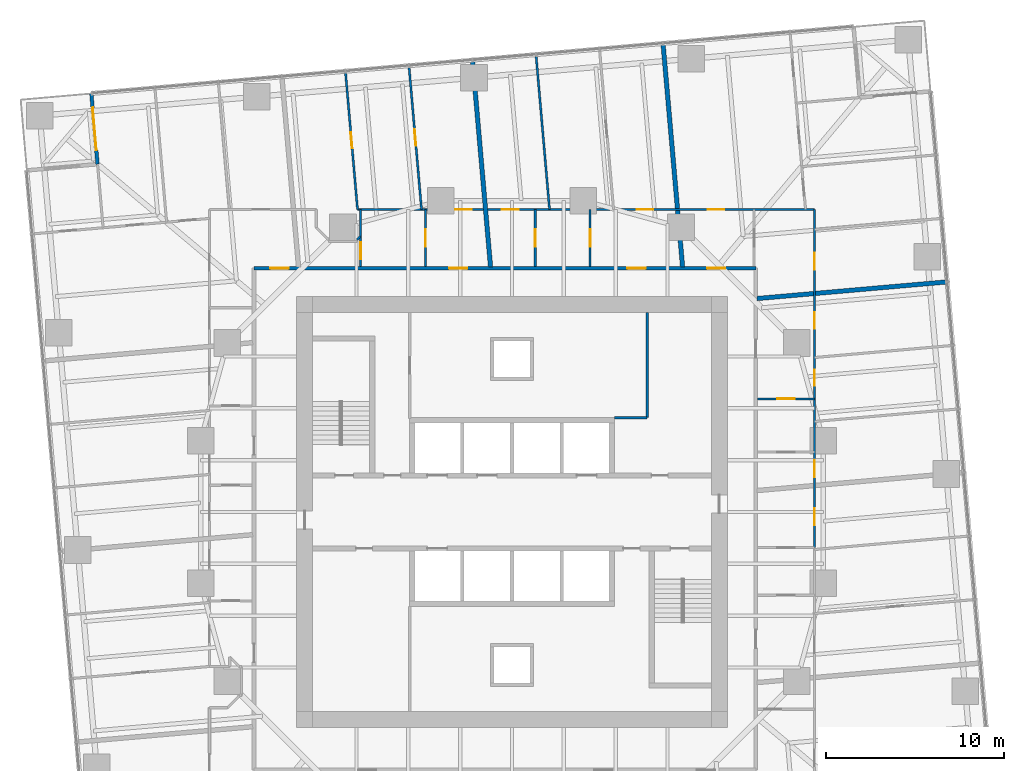
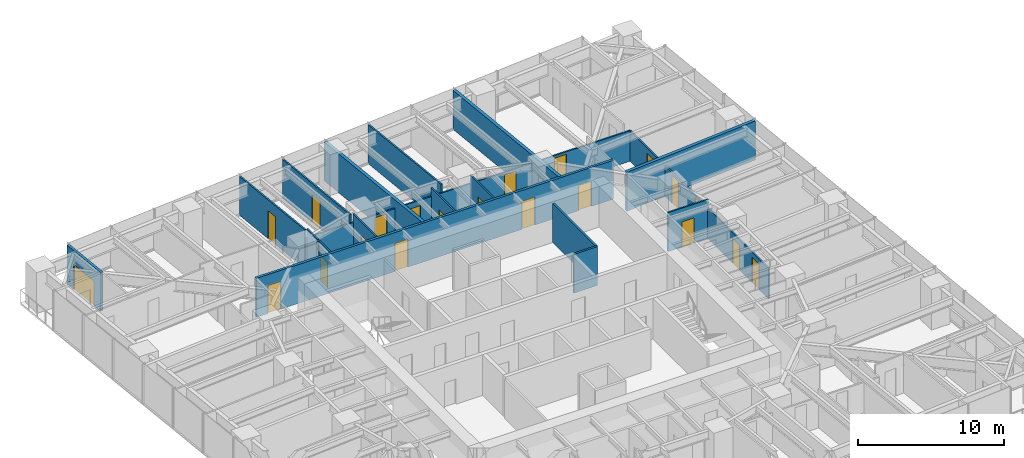
# One storey, part 12 of 14: 21 doors, 18 walls, 21 openings.
"""IFC4 building model written with IfcOpenShell, lengths in metres."""

import ifcopenshell
import ifcopenshell.guid

model = None  # the IFC model being written
_history = None  # IfcOwnerHistory: only IFC2X3 demands one
_inside = {}  # id of a spatial element -> (the spatial element, [elements in it])
_under = {}  # id of a project, library or spatial element -> (it, [spatial elements below it])
_declared = {}  # id of a project -> (the project, [libraries it declares])
_typed = {}  # id of a type object -> (the type object, [elements of that type])
_made_of = {}  # id of a material, layer set ... -> (it, [elements and type objects made of it])


def new_model(schema):
    """Start an empty IFC model of exactly this schema.

    Asked for "IFC4X3", IfcOpenShell would pick the latest addendum, in which some entities
    have other attributes; the version numbers below select the first issue.
    IFC2X3 requires an IfcOwnerHistory on every rooted entity: one is made here for all.
    """
    global model, _history
    if schema == "IFC4X3":
        model = ifcopenshell.file(schema_version=(4, 3, 0, 0))
    else:
        model = ifcopenshell.file(schema=schema)
    _inside.clear()
    _under.clear()
    _declared.clear()
    _typed.clear()
    _made_of.clear()
    _history = None
    if model.schema == "IFC2X3":
        org = make("IfcOrganization", Name="unknown")
        user = make(
            "IfcPersonAndOrganization",
            ThePerson=make("IfcPerson", FamilyName="unknown"),
            TheOrganization=org,
        )
        app = make(
            "IfcApplication",
            ApplicationDeveloper=org,
            Version="unknown",
            ApplicationFullName="unknown",
            ApplicationIdentifier="unknown",
        )
        _history = make(
            "IfcOwnerHistory",
            OwningUser=user,
            OwningApplication=app,
            ChangeAction="ADDED",
            CreationDate=0,
        )
    return model


def make(cls, **values):
    """One entity of the class cls with the attributes given. An attribute that is None is left unset."""
    return model.create_entity(
        cls, **{name: value for name, value in values.items() if value is not None}
    )


def rooted(cls, **values):
    """An entity with a GlobalId (a new one), such as an element, a storey or a relation."""
    return make(cls, GlobalId=ifcopenshell.guid.new(), OwnerHistory=_history, **values)


def si_unit(unit_type, name, prefix=None):
    """IfcSIUnit, for example si_unit("LENGTHUNIT", "METRE", prefix="MILLI")."""
    return make("IfcSIUnit", UnitType=unit_type, Prefix=prefix, Name=name)


def assignment(units):
    """IfcUnitAssignment: the units of a project."""
    return None if units is None else make("IfcUnitAssignment", Units=units)


def point(xyz):
    """IfcCartesianPoint."""
    return None if xyz is None else make("IfcCartesianPoint", Coordinates=xyz)


def direction(xyz):
    """IfcDirection."""
    return None if xyz is None else make("IfcDirection", DirectionRatios=xyz)


def frame(location, z_axis=None, x_axis=None):
    """IfcAxis2Placement3D, a coordinate frame: its origin and axes. An axis left out is left unset."""
    return make(
        "IfcAxis2Placement3D",
        Location=point(location),
        Axis=direction(z_axis),
        RefDirection=direction(x_axis),
    )


def frame_2d(location, x_axis=None):
    """IfcAxis2Placement2D, a coordinate frame in the plane: its origin and x axis."""
    return make(
        "IfcAxis2Placement2D", Location=point(location), RefDirection=direction(x_axis)
    )


def origin():
    """The frame at (0, 0, 0) with its axes left unset."""
    return frame((0.0, 0.0, 0.0))


def place(relative_to, where):
    """IfcLocalPlacement: puts the frame where relative to a parent placement (None: the world)."""
    return make(
        "IfcLocalPlacement", PlacementRelTo=relative_to, RelativePlacement=where
    )


def context(
    kind, dimensions, precision=None, world=None, true_north=None, identifier=None
):
    """IfcGeometricRepresentationContext, for example the 3D "Model" context."""
    return make(
        "IfcGeometricRepresentationContext",
        ContextIdentifier=identifier,
        ContextType=kind,
        CoordinateSpaceDimension=dimensions,
        Precision=precision,
        WorldCoordinateSystem=world,
        TrueNorth=true_north,
    )


def subcontext(parent, identifier, kind, view, scale=None):
    """IfcGeometricRepresentationSubContext, for example "Body" below "Model"."""
    return make(
        "IfcGeometricRepresentationSubContext",
        ContextIdentifier=identifier,
        ContextType=kind,
        ParentContext=parent,
        TargetScale=scale,
        TargetView=view,
    )


def project(units=None, contexts=None):
    """IfcProject with its units and contexts."""
    return rooted(
        "IfcProject",
        Name="project",
        RepresentationContexts=contexts,
        UnitsInContext=assignment(units),
    )


def spatial(cls, under=None, at=None, **own):
    """A site, building, storey or space (cls), placed at a placement, below another one or the project."""
    s = rooted(cls, ObjectPlacement=at, **own)
    if under is not None:
        _under.setdefault(under.id(), (under, []))[1].append(s)
    return s


def profile(cls, at=None, kind="AREA", **sizes):
    """A parametric profile (cls). Its sizes go by their IFC names, for example OverallWidth=200.0."""
    return make(cls, ProfileType=kind, Position=at, **sizes)


def rectangle(**sizes):
    """IfcRectangleProfileDef."""
    return profile("IfcRectangleProfileDef", **sizes)


def extrude(swept, where, along, depth):
    """IfcExtrudedAreaSolid: the profile swept, set in the frame where, extruded along a direction by depth."""
    return make(
        "IfcExtrudedAreaSolid",
        SweptArea=swept,
        Position=where,
        ExtrudedDirection=direction(along),
        Depth=depth,
    )


def shape(context_of_items, identifier, shape_type, items):
    """IfcShapeRepresentation: the items that make up one representation, for example the "Body"."""
    return make(
        "IfcShapeRepresentation",
        ContextOfItems=context_of_items,
        RepresentationIdentifier=identifier,
        RepresentationType=shape_type,
        Items=items,
    )


def material(Name=None, Category=None):
    """IfcMaterial."""
    return make("IfcMaterial", Name=Name, Category=Category)


def layer(
    of_material, thickness, ventilated=None, Name=None, Category=None, Priority=None
):
    """IfcMaterialLayer: one layer of a wall or slab, of a material (None: an air gap)."""
    return make(
        "IfcMaterialLayer",
        Material=of_material,
        LayerThickness=thickness,
        IsVentilated=ventilated,
        Name=Name,
        Category=Category,
        Priority=Priority,
    )


def layer_set(layers, Name=None):
    """IfcMaterialLayerSet."""
    return make("IfcMaterialLayerSet", MaterialLayers=layers, LayerSetName=Name)


def made_of(thing, what):
    """Note that an element or type object is made of a material, layer set ...; save() writes the relation."""
    if what is not None:
        _made_of.setdefault(what.id(), (what, []))[1].append(thing)
    return thing


def type_object(cls, material=None, **own):
    """A type object (cls), such as IfcWallType, which elements share."""
    return made_of(rooted(cls, **own), material)


def element(
    cls,
    number,
    at=None,
    inside=None,
    cuts=None,
    type_object=None,
    material=None,
    context=None,
    identifier="Body",
    shape_type=None,
    held_by="IfcProductDefinitionShape",
    body=None,
    shapes=None,
    **own,
):
    """One element of the class cls, such as IfcWall. Its Tag is "e" and its number.

    at: its placement. inside: the storey or other place that contains it. cuts: it is an
    opening in that element (IfcRelVoidsElement). A single representation is given by context,
    identifier, shape_type and body (its items); several are given by shapes. held_by: the class
    of the entity that holds the representations. save() writes the other relations.
    """
    e = rooted(cls, Tag="e%d" % number, ObjectPlacement=at, **own)
    if body is not None:
        shapes = [shape(context, identifier, shape_type, body)]
    if shapes is not None:
        e.Representation = make(held_by, Representations=shapes)
    if inside is not None:
        _inside.setdefault(inside.id(), (inside, []))[1].append(e)
    if cuts is not None:
        rooted(
            "IfcRelVoidsElement", RelatingBuildingElement=cuts, RelatedOpeningElement=e
        )
    if type_object is not None:
        _typed.setdefault(type_object.id(), (type_object, []))[1].append(e)
    return made_of(e, material)


def fill(opening, filler):
    """IfcRelFillsElement: the door or window that sits in an opening."""
    return rooted(
        "IfcRelFillsElement",
        RelatingOpeningElement=opening,
        RelatedBuildingElement=filler,
    )


def aggregate(whole, parts):
    """IfcRelAggregates: a whole, such as a stair, and the parts it consists of."""
    return rooted("IfcRelAggregates", RelatingObject=whole, RelatedObjects=parts)


def save(model, path):
    """Write the relations noted so far, then the file.

    IfcRelAggregates (storeys below a building ...), IfcRelContainedInSpatialStructure (elements
    in a storey), IfcRelDefinesByType, IfcRelAssociatesMaterial and IfcRelDeclares: one each for
    every whole, place, type object, material and project.
    """
    for whole, parts in _under.values():
        aggregate(whole, parts)
    for where, things in _inside.values():
        rooted(
            "IfcRelContainedInSpatialStructure",
            RelatedElements=things,
            RelatingStructure=where,
        )
    for kind, things in _typed.values():
        rooted("IfcRelDefinesByType", RelatedObjects=things, RelatingType=kind)
    for what, things in _made_of.values():
        rooted("IfcRelAssociatesMaterial", RelatedObjects=things, RelatingMaterial=what)
    for by, libraries in _declared.values():
        rooted("IfcRelDeclares", RelatingContext=by, RelatedDefinitions=libraries)
    model.write(path)


model = new_model("IFC4")

# Units and contexts
model_context = context("Model", 3, precision=1e-05, world=origin(), true_north=direction((0.0, 1.0)))
body_context = subcontext(model_context, "Body", "Model", "MODEL_VIEW")
ifc_project = project(units=[si_unit("LENGTHUNIT", "METRE"), si_unit("AREAUNIT", "SQUARE_METRE"), si_unit("VOLUMEUNIT", "CUBIC_METRE"), si_unit("PLANEANGLEUNIT", "RADIAN"), si_unit("MASSUNIT", "GRAM", prefix="KILO")], contexts=[model_context])

# Site, building, storey
site_placement = place(None, origin())
site = spatial("IfcSite", under=ifc_project, at=site_placement, CompositionType="ELEMENT")
building_placement = place(site_placement, origin())
building = spatial("IfcBuilding", under=site, at=building_placement, Name="Torsade Residences", CompositionType="ELEMENT")
storey_placement = place(building_placement, frame((0.0, 0.0, 47.199951171875)))
storey = spatial("IfcBuildingStorey", under=building, at=storey_placement, Name="L12", CompositionType="ELEMENT", Elevation=47.199951171875)

# Wall, openings, doors
ifc_material_1 = material(Name="Plasterboard on steel stud", Category="steel")
ifc_layer_1 = layer(ifc_material_1, 0.199951171875)
ifc_layer_set_1 = layer_set([ifc_layer_1], Name="Plasterboard on steel stud")
wall_type_1 = type_object("IfcWallType", Name="CORRIDOR WALL 200", PredefinedType="PARTITIONING", material=ifc_layer_set_1)
wall_1_placement = place(storey_placement, frame((53.699951171875, 43.699951171875, 0.0), z_axis=(0.0, 0.0, 1.0), x_axis=(-1.0, 0.0, 0.0)))
wall_1 = element("IfcWall", 1, at=wall_1_placement, inside=storey, type_object=wall_type_1, Name="Corridor wall L12", PredefinedType="PARTITIONING", context=body_context, shape_type="SweptSolid", body=[
    extrude(rectangle(XDim=28.199951171875, YDim=0.199951171875, at=frame_2d((14.10009765625, 0.0))), origin(), (0.0, 0.0, 1.0), 3.25),
])
opening_1_placement = place(wall_1_placement, frame((6.1943359375, 0.0, 0.0)))
opening_1 = element("IfcOpeningElement", 2, at=opening_1_placement, cuts=wall_1, Name="Opening D01", PredefinedType="OPENING", context=body_context, shape_type="SweptSolid", body=[
    extrude(rectangle(XDim=1.02001953125, YDim=2.340087890625, at=frame_2d((0.510009765625, 1.169921875))), frame((0.0, 0.10986328125, 0.0), z_axis=(0.0, -1.0, 0.0), x_axis=(1.0, 0.0, 0.0)), (0.0, 0.0, 1.0), 0.219970703125),
])
opening_2_placement = place(wall_1_placement, frame((1.71484375, 0.0, 0.0)))
opening_2 = element("IfcOpeningElement", 3, at=opening_2_placement, cuts=wall_1, Name="Opening D01L", PredefinedType="OPENING", context=body_context, shape_type="SweptSolid", body=[
    extrude(rectangle(XDim=1.02001953125, YDim=2.10009765625, at=frame_2d((0.510009765625, 1.050048828125))), frame((0.0, 0.10986328125, 0.0), z_axis=(0.0, -1.0, 0.0), x_axis=(1.0, 0.0, 0.0)), (0.0, 0.0, 1.0), 0.219970703125),
])
opening_3_placement = place(wall_1_placement, frame((16.214599609375, 0.0, 0.0)))
opening_3 = element("IfcOpeningElement", 4, at=opening_3_placement, cuts=wall_1, Name="Opening D01", PredefinedType="OPENING", context=body_context, shape_type="SweptSolid", body=[
    extrude(rectangle(XDim=1.02001953125, YDim=2.340087890625, at=frame_2d((0.510009765625, 1.169921875))), frame((0.0, 0.10986328125, 0.0), z_axis=(0.0, -1.0, 0.0), x_axis=(1.0, 0.0, 0.0)), (0.0, 0.0, 1.0), 0.219970703125),
])
opening_4_placement = place(wall_1_placement, frame((26.25537109375, 0.0, 0.0)))
opening_4 = element("IfcOpeningElement", 5, at=opening_4_placement, cuts=wall_1, Name="Opening D01", PredefinedType="OPENING", context=body_context, shape_type="SweptSolid", body=[
    extrude(rectangle(XDim=1.02001953125, YDim=2.340087890625, at=frame_2d((0.510009765625, 1.169921875))), frame((0.0, 0.10986328125, 0.0), z_axis=(0.0, -1.0, 0.0), x_axis=(1.0, 0.0, 0.0)), (0.0, 0.0, 1.0), 0.219970703125),
])
ifc_material_2 = material(Name="Solid-core timber fire door", Category="wood")
door_type_1 = type_object("IfcDoorType", Name="APARTMENT ENTRY DOOR 1020x2100", OperationType="NOTDEFINED", PredefinedType="DOOR", material=ifc_material_2)
door_1_placement = place(opening_2_placement, origin())
door_1 = element("IfcDoor", 6, at=door_1_placement, inside=storey, type_object=door_type_1, Name="Door Residential corridor to Kitchen and dining", OperationType="SINGLE_SWING_LEFT", OverallHeight=2.10009765625, OverallWidth=1.02001953125, PredefinedType="DOOR", context=body_context, shape_type="SweptSolid", body=[
    extrude(rectangle(XDim=1.02001953125, YDim=2.10009765625, at=frame_2d((0.510009765625, 1.050048828125))), frame((0.0, 0.02490234375, 0.0), z_axis=(0.0, -1.0, 0.0), x_axis=(1.0, 0.0, 0.0)), (0.0, 0.0, 1.0), 0.050048828125),
])
fill(opening_2, door_1)
ifc_material_3 = material(Name="Solid-core timber fire door", Category="wood")
door_type_2 = type_object("IfcDoorType", Name="APARTMENT ENTRY DOOR 1020x2340", OperationType="NOTDEFINED", PredefinedType="DOOR", material=ifc_material_3)
door_2_placement = place(opening_1_placement, origin())
door_2 = element("IfcDoor", 7, at=door_2_placement, inside=storey, type_object=door_type_2, Name="Door Residential corridor to Kitchen and dining", OperationType="SINGLE_SWING_LEFT", OverallHeight=2.340087890625, OverallWidth=1.02001953125, PredefinedType="DOOR", context=body_context, shape_type="SweptSolid", body=[
    extrude(rectangle(XDim=1.02001953125, YDim=2.340087890625, at=frame_2d((0.510009765625, 1.169921875))), frame((0.0, 0.02490234375, 0.0), z_axis=(0.0, -1.0, 0.0), x_axis=(1.0, 0.0, 0.0)), (0.0, 0.0, 1.0), 0.050048828125),
])
fill(opening_1, door_2)
door_3_placement = place(opening_3_placement, origin())
door_3 = element("IfcDoor", 8, at=door_3_placement, inside=storey, type_object=door_type_2, Name="Door Residential corridor to Kitchen and dining", OperationType="SINGLE_SWING_RIGHT", OverallHeight=2.340087890625, OverallWidth=1.02001953125, PredefinedType="DOOR", context=body_context, shape_type="SweptSolid", body=[
    extrude(rectangle(XDim=1.02001953125, YDim=2.340087890625, at=frame_2d((0.510009765625, 1.169921875))), frame((0.0, 0.02490234375, 0.0), z_axis=(0.0, -1.0, 0.0), x_axis=(1.0, 0.0, 0.0)), (0.0, 0.0, 1.0), 0.050048828125),
])
fill(opening_3, door_3)
door_4_placement = place(opening_4_placement, origin())
door_4 = element("IfcDoor", 9, at=door_4_placement, inside=storey, type_object=door_type_2, Name="Door Residential corridor to Kitchen and dining", OperationType="SINGLE_SWING_RIGHT", OverallHeight=2.340087890625, OverallWidth=1.02001953125, PredefinedType="DOOR", context=body_context, shape_type="SweptSolid", body=[
    extrude(rectangle(XDim=1.02001953125, YDim=2.340087890625, at=frame_2d((0.510009765625, 1.169921875))), frame((0.0, 0.02490234375, 0.0), z_axis=(0.0, -1.0, 0.0), x_axis=(1.0, 0.0, 0.0)), (0.0, 0.0, 1.0), 0.050048828125),
])
fill(opening_4, door_4)

ifc_material_4 = material(Name="Plasterboard on steel stud", Category="steel")
ifc_layer_2 = layer(ifc_material_4, 0.1201171875)
ifc_layer_set_2 = layer_set([ifc_layer_2], Name="Plasterboard on steel stud")
wall_type_2 = type_object("IfcWallType", Name="PARTITION 120", PredefinedType="PARTITIONING", material=ifc_layer_set_2)
wall_2_placement = place(storey_placement, frame((57.0, 47.0, 0.0), z_axis=(0.0, 0.0, 1.0), x_axis=(0.0, -1.0, 0.0)))
wall_2 = element("IfcWall", 10, at=wall_2_placement, inside=storey, type_object=wall_type_2, Name="Partition L12", PredefinedType="PARTITIONING", context=body_context, shape_type="SweptSolid", body=[
    extrude(rectangle(XDim=19.003173828125, YDim=0.1201171875, at=frame_2d((9.50146484375, 0.0))), origin(), (0.0, 0.0, 1.0), 2.550048828125),
])
opening_5_placement = place(wall_2_placement, frame((5.78515625, 0.0, 0.0)))
opening_5 = element("IfcOpeningElement", 11, at=opening_5_placement, cuts=wall_2, Name="Opening D02", PredefinedType="OPENING", context=body_context, shape_type="SweptSolid", body=[
    extrude(rectangle(XDim=0.919921875, YDim=2.340087890625, at=frame_2d((0.4599609375, 1.169921875))), frame((0.0, 0.070068359375, 0.0), z_axis=(0.0, -1.0, 0.0), x_axis=(1.0, 0.0, 0.0)), (0.0, 0.0, 1.0), 0.14013671875),
])
opening_6_placement = place(wall_2_placement, frame((8.993896484375, 0.0, 0.0)))
opening_6 = element("IfcOpeningElement", 12, at=opening_6_placement, cuts=wall_2, Name="Opening D02", PredefinedType="OPENING", context=body_context, shape_type="SweptSolid", body=[
    extrude(rectangle(XDim=0.919921875, YDim=2.340087890625, at=frame_2d((0.4599609375, 1.169921875))), frame((0.0, 0.070068359375, 0.0), z_axis=(0.0, -1.0, 0.0), x_axis=(1.0, 0.0, 0.0)), (0.0, 0.0, 1.0), 0.14013671875),
])
opening_7_placement = place(wall_2_placement, frame((2.41796875, 0.0, 0.0)))
opening_7 = element("IfcOpeningElement", 13, at=opening_7_placement, cuts=wall_2, Name="Opening D05", PredefinedType="OPENING", context=body_context, shape_type="SweptSolid", body=[
    extrude(rectangle(XDim=0.9599609375, YDim=2.10009765625, at=frame_2d((0.47998046875, 1.050048828125))), frame((0.0, 0.070068359375, 0.0), z_axis=(0.0, -1.0, 0.0), x_axis=(1.0, 0.0, 0.0)), (0.0, 0.0, 1.0), 0.14013671875),
])
opening_8_placement = place(wall_2_placement, frame((14.0927734375, 0.0, 0.0)))
opening_8 = element("IfcOpeningElement", 14, at=opening_8_placement, cuts=wall_2, Name="Opening D05", PredefinedType="OPENING", context=body_context, shape_type="SweptSolid", body=[
    extrude(rectangle(XDim=0.9599609375, YDim=2.10009765625, at=frame_2d((0.47998046875, 1.050048828125))), frame((0.0, 0.070068359375, 0.0), z_axis=(0.0, -1.0, 0.0), x_axis=(1.0, 0.0, 0.0)), (0.0, 0.0, 1.0), 0.14013671875),
])
opening_9_placement = place(wall_2_placement, frame((16.77783203125, 0.0, 0.0)))
opening_9 = element("IfcOpeningElement", 15, at=opening_9_placement, cuts=wall_2, Name="Opening D05", PredefinedType="OPENING", context=body_context, shape_type="SweptSolid", body=[
    extrude(rectangle(XDim=0.9599609375, YDim=2.10009765625, at=frame_2d((0.47998046875, 1.050048828125))), frame((0.0, 0.070068359375, 0.0), z_axis=(0.0, -1.0, 0.0), x_axis=(1.0, 0.0, 0.0)), (0.0, 0.0, 1.0), 0.14013671875),
])
ifc_material_5 = material(Name="Hollow-core timber door in a steel cavity frame", Category="steel")
door_type_3 = type_object("IfcDoorType", Name="BATHROOM CAVITY SLIDING DOOR 960", OperationType="SLIDING_TO_LEFT", PredefinedType="DOOR", material=ifc_material_5)
door_5_placement = place(opening_7_placement, origin())
door_5 = element("IfcDoor", 16, at=door_5_placement, inside=storey, type_object=door_type_3, Name="Door Bathroom to Study", OperationType="SLIDING_TO_LEFT", OverallHeight=2.10009765625, OverallWidth=0.9599609375, PredefinedType="DOOR", context=body_context, shape_type="SweptSolid", body=[
    extrude(rectangle(XDim=0.9599609375, YDim=2.10009765625, at=frame_2d((0.47998046875, 1.050048828125))), frame((0.0, 0.02490234375, 0.0), z_axis=(0.0, -1.0, 0.0), x_axis=(1.0, 0.0, 0.0)), (0.0, 0.0, 1.0), 0.050048828125),
])
fill(opening_7, door_5)
door_6_placement = place(opening_8_placement, origin())
door_6 = element("IfcDoor", 17, at=door_6_placement, inside=storey, type_object=door_type_3, Name="Door Ensuite to Living room", OperationType="SLIDING_TO_LEFT", OverallHeight=2.10009765625, OverallWidth=0.9599609375, PredefinedType="DOOR", context=body_context, shape_type="SweptSolid", body=[
    extrude(rectangle(XDim=0.9599609375, YDim=2.10009765625, at=frame_2d((0.47998046875, 1.050048828125))), frame((0.0, 0.02490234375, 0.0), z_axis=(0.0, -1.0, 0.0), x_axis=(1.0, 0.0, 0.0)), (0.0, 0.0, 1.0), 0.050048828125),
])
fill(opening_8, door_6)
door_7_placement = place(opening_9_placement, origin())
door_7 = element("IfcDoor", 18, at=door_7_placement, inside=storey, type_object=door_type_3, Name="Door Bathroom to Bedroom 2", OperationType="SLIDING_TO_LEFT", OverallHeight=2.10009765625, OverallWidth=0.9599609375, PredefinedType="DOOR", context=body_context, shape_type="SweptSolid", body=[
    extrude(rectangle(XDim=0.9599609375, YDim=2.10009765625, at=frame_2d((0.47998046875, 1.050048828125))), frame((0.0, 0.02490234375, 0.0), z_axis=(0.0, -1.0, 0.0), x_axis=(1.0, 0.0, 0.0)), (0.0, 0.0, 1.0), 0.050048828125),
])
fill(opening_9, door_7)
ifc_material_6 = material(Name="Hollow-core timber door", Category="wood")
door_type_4 = type_object("IfcDoorType", Name="INTERNAL DOOR 920x2340", OperationType="NOTDEFINED", PredefinedType="DOOR", material=ifc_material_6)
door_8_placement = place(opening_5_placement, origin())
door_8 = element("IfcDoor", 19, at=door_8_placement, inside=storey, type_object=door_type_4, Name="Door Kitchen and dining to Bedroom 2", OperationType="SINGLE_SWING_LEFT", OverallHeight=2.340087890625, OverallWidth=0.919921875, PredefinedType="DOOR", context=body_context, shape_type="SweptSolid", body=[
    extrude(rectangle(XDim=0.919921875, YDim=2.340087890625, at=frame_2d((0.4599609375, 1.169921875))), frame((0.0, 0.02490234375, 0.0), z_axis=(0.0, -1.0, 0.0), x_axis=(1.0, 0.0, 0.0)), (0.0, 0.0, 1.0), 0.050048828125),
])
fill(opening_5, door_8)
door_9_placement = place(opening_6_placement, origin())
door_9 = element("IfcDoor", 20, at=door_9_placement, inside=storey, type_object=door_type_4, Name="Door Kitchen and dining to Bedroom 1", OperationType="SINGLE_SWING_LEFT", OverallHeight=2.340087890625, OverallWidth=0.919921875, PredefinedType="DOOR", context=body_context, shape_type="SweptSolid", body=[
    extrude(rectangle(XDim=0.919921875, YDim=2.340087890625, at=frame_2d((0.4599609375, 1.169921875))), frame((0.0, 0.02490234375, 0.0), z_axis=(0.0, -1.0, 0.0), x_axis=(1.0, 0.0, 0.0)), (0.0, 0.0, 1.0), 0.050048828125),
])
fill(opening_6, door_9)

# Wall, opening, door
wall_3_placement = place(storey_placement, frame((57.0, 36.3603515625, 0.0), z_axis=(0.0, 0.0, 1.0), x_axis=(-1.0, 0.0, 0.0)))
wall_3 = element("IfcWall", 21, at=wall_3_placement, inside=storey, type_object=wall_type_2, Name="Partition L12", PredefinedType="PARTITIONING", context=body_context, shape_type="SweptSolid", body=[
    extrude(rectangle(XDim=3.199951171875, YDim=0.1201171875, at=frame_2d((1.60009765625, 0.0))), origin(), (0.0, 0.0, 1.0), 3.25),
])
opening_10_placement = place(wall_3_placement, frame((1.1201171875, 0.0, 0.0)))
opening_10 = element("IfcOpeningElement", 22, at=opening_10_placement, cuts=wall_3, Name="Opening D05", PredefinedType="OPENING", context=body_context, shape_type="SweptSolid", body=[
    extrude(rectangle(XDim=0.9599609375, YDim=2.10009765625, at=frame_2d((0.47998046875, 1.050048828125))), frame((0.0, 0.070068359375, 0.0), z_axis=(0.0, -1.0, 0.0), x_axis=(1.0, 0.0, 0.0)), (0.0, 0.0, 1.0), 0.14013671875),
])
door_10_placement = place(opening_10_placement, origin())
door_10 = element("IfcDoor", 23, at=door_10_placement, inside=storey, type_object=door_type_3, Name="Door Kitchen and dining to Bathroom", OperationType="SLIDING_TO_LEFT", OverallHeight=2.10009765625, OverallWidth=0.9599609375, PredefinedType="DOOR", context=body_context, shape_type="SweptSolid", body=[
    extrude(rectangle(XDim=0.9599609375, YDim=2.10009765625, at=frame_2d((0.47998046875, 1.050048828125))), frame((0.0, 0.02490234375, 0.0), z_axis=(0.0, -1.0, 0.0), x_axis=(1.0, 0.0, 0.0)), (0.0, 0.0, 1.0), 0.050048828125),
])
fill(opening_10, door_10)

# Wall, openings, doors
wall_4_placement = place(storey_placement, frame((31.318603515625, 47.0, 0.0), z_axis=(0.0, 0.0, 1.0), x_axis=(1.0, 0.0, 0.0)))
wall_4 = element("IfcWall", 24, at=wall_4_placement, inside=storey, type_object=wall_type_2, Name="Partition L12", PredefinedType="PARTITIONING", context=body_context, shape_type="SweptSolid", body=[
    extrude(rectangle(XDim=25.681396484375, YDim=0.1201171875, at=frame_2d((12.8408203125, 0.0))), origin(), (0.0, 0.0, 1.0), 2.550048828125),
])
opening_11_placement = place(wall_4_placement, frame((15.701416015625, 0.0, 0.0)))
opening_11 = element("IfcOpeningElement", 25, at=opening_11_placement, cuts=wall_4, Name="Opening D02", PredefinedType="OPENING", context=body_context, shape_type="SweptSolid", body=[
    extrude(rectangle(XDim=0.919921875, YDim=2.340087890625, at=frame_2d((0.4599609375, 1.169921875))), frame((0.0, 0.070068359375, 0.0), z_axis=(0.0, -1.0, 0.0), x_axis=(1.0, 0.0, 0.0)), (0.0, 0.0, 1.0), 0.14013671875),
])
opening_12_placement = place(wall_4_placement, frame((19.67626953125, 0.0, 0.0)))
opening_12 = element("IfcOpeningElement", 26, at=opening_12_placement, cuts=wall_4, Name="Opening D02", PredefinedType="OPENING", context=body_context, shape_type="SweptSolid", body=[
    extrude(rectangle(XDim=0.919921875, YDim=2.340087890625, at=frame_2d((0.4599609375, 1.169921875))), frame((0.0, 0.070068359375, 0.0), z_axis=(0.0, -1.0, 0.0), x_axis=(1.0, 0.0, 0.0)), (0.0, 0.0, 1.0), 0.14013671875),
])
opening_13_placement = place(wall_4_placement, frame((5.49755859375, 0.0, 0.0)))
opening_13 = element("IfcOpeningElement", 27, at=opening_13_placement, cuts=wall_4, Name="Opening D02", PredefinedType="OPENING", context=body_context, shape_type="SweptSolid", body=[
    extrude(rectangle(XDim=0.919921875, YDim=2.340087890625, at=frame_2d((0.4599609375, 1.169921875))), frame((0.0, 0.070068359375, 0.0), z_axis=(0.0, -1.0, 0.0), x_axis=(1.0, 0.0, 0.0)), (0.0, 0.0, 1.0), 0.14013671875),
])
opening_14_placement = place(wall_4_placement, frame((8.1103515625, 0.0, 0.0)))
opening_14 = element("IfcOpeningElement", 28, at=opening_14_placement, cuts=wall_4, Name="Opening D05", PredefinedType="OPENING", context=body_context, shape_type="SweptSolid", body=[
    extrude(rectangle(XDim=0.9599609375, YDim=2.10009765625, at=frame_2d((0.47998046875, 1.050048828125))), frame((0.0, 0.070068359375, 0.0), z_axis=(0.0, -1.0, 0.0), x_axis=(1.0, 0.0, 0.0)), (0.0, 0.0, 1.0), 0.14013671875),
])
door_11_placement = place(opening_14_placement, origin())
door_11 = element("IfcDoor", 29, at=door_11_placement, inside=storey, type_object=door_type_3, Name="Door Ensuite to Bedroom 2", OperationType="SLIDING_TO_LEFT", OverallHeight=2.10009765625, OverallWidth=0.9599609375, PredefinedType="DOOR", context=body_context, shape_type="SweptSolid", body=[
    extrude(rectangle(XDim=0.9599609375, YDim=2.10009765625, at=frame_2d((0.47998046875, 1.050048828125))), frame((0.0, 0.02490234375, 0.0), z_axis=(0.0, -1.0, 0.0), x_axis=(1.0, 0.0, 0.0)), (0.0, 0.0, 1.0), 0.050048828125),
])
fill(opening_14, door_11)
door_12_placement = place(opening_11_placement, origin())
door_12 = element("IfcDoor", 30, at=door_12_placement, inside=storey, type_object=door_type_4, Name="Door Kitchen and dining to Living room", OperationType="SINGLE_SWING_LEFT", OverallHeight=2.340087890625, OverallWidth=0.919921875, PredefinedType="DOOR", context=body_context, shape_type="SweptSolid", body=[
    extrude(rectangle(XDim=0.919921875, YDim=2.340087890625, at=frame_2d((0.4599609375, 1.169921875))), frame((0.0, 0.02490234375, 0.0), z_axis=(0.0, -1.0, 0.0), x_axis=(1.0, 0.0, 0.0)), (0.0, 0.0, 1.0), 0.050048828125),
])
fill(opening_11, door_12)
door_13_placement = place(opening_12_placement, origin())
door_13 = element("IfcDoor", 31, at=door_13_placement, inside=storey, type_object=door_type_4, Name="Door Kitchen and dining to Living room", OperationType="SINGLE_SWING_LEFT", OverallHeight=2.340087890625, OverallWidth=0.919921875, PredefinedType="DOOR", context=body_context, shape_type="SweptSolid", body=[
    extrude(rectangle(XDim=0.919921875, YDim=2.340087890625, at=frame_2d((0.4599609375, 1.169921875))), frame((0.0, 0.02490234375, 0.0), z_axis=(0.0, -1.0, 0.0), x_axis=(1.0, 0.0, 0.0)), (0.0, 0.0, 1.0), 0.050048828125),
])
fill(opening_12, door_13)
door_14_placement = place(opening_13_placement, origin())
door_14 = element("IfcDoor", 32, at=door_14_placement, inside=storey, type_object=door_type_4, Name="Door Kitchen and dining to Living room", OperationType="SINGLE_SWING_LEFT", OverallHeight=2.340087890625, OverallWidth=0.919921875, PredefinedType="DOOR", context=body_context, shape_type="SweptSolid", body=[
    extrude(rectangle(XDim=0.919921875, YDim=2.340087890625, at=frame_2d((0.4599609375, 1.169921875))), frame((0.0, 0.02490234375, 0.0), z_axis=(0.0, -1.0, 0.0), x_axis=(1.0, 0.0, 0.0)), (0.0, 0.0, 1.0), 0.050048828125),
])
fill(opening_13, door_14)

# Wall, opening, door
wall_5_placement = place(storey_placement, frame((44.38916015625, 43.800048828125, 0.0), z_axis=(0.0, 0.0, 1.0), x_axis=(0.0, 1.0, 0.0)))
wall_5 = element("IfcWall", 33, at=wall_5_placement, inside=storey, type_object=wall_type_2, Name="Partition L12", PredefinedType="PARTITIONING", context=body_context, shape_type="SweptSolid", body=[
    extrude(rectangle(XDim=3.199951171875, YDim=0.1201171875, at=frame_2d((1.60009765625, 0.0))), origin(), (0.0, 0.0, 1.0), 3.25),
])
opening_15_placement = place(wall_5_placement, frame((1.1201171875, 0.0, 0.0)))
opening_15 = element("IfcOpeningElement", 34, at=opening_15_placement, cuts=wall_5, Name="Opening D05", PredefinedType="OPENING", context=body_context, shape_type="SweptSolid", body=[
    extrude(rectangle(XDim=0.9599609375, YDim=2.10009765625, at=frame_2d((0.47998046875, 1.050048828125))), frame((0.0, 0.070068359375, 0.0), z_axis=(0.0, -1.0, 0.0), x_axis=(1.0, 0.0, 0.0)), (0.0, 0.0, 1.0), 0.14013671875),
])
door_15_placement = place(opening_15_placement, origin())
door_15 = element("IfcDoor", 35, at=door_15_placement, inside=storey, type_object=door_type_3, Name="Door Kitchen and dining to Bathroom", OperationType="SLIDING_TO_LEFT", OverallHeight=2.10009765625, OverallWidth=0.9599609375, PredefinedType="DOOR", context=body_context, shape_type="SweptSolid", body=[
    extrude(rectangle(XDim=0.9599609375, YDim=2.10009765625, at=frame_2d((0.47998046875, 1.050048828125))), frame((0.0, 0.02490234375, 0.0), z_axis=(0.0, -1.0, 0.0), x_axis=(1.0, 0.0, 0.0)), (0.0, 0.0, 1.0), 0.050048828125),
])
fill(opening_15, door_15)

wall_6_placement = place(storey_placement, frame((41.305419921875, 43.800048828125, 0.0), z_axis=(0.0, 0.0, 1.0), x_axis=(0.0, 1.0, 0.0)))
wall_6 = element("IfcWall", 36, at=wall_6_placement, inside=storey, type_object=wall_type_2, Name="Partition L12", PredefinedType="PARTITIONING", context=body_context, shape_type="SweptSolid", body=[
    extrude(rectangle(XDim=3.199951171875, YDim=0.1201171875, at=frame_2d((1.60009765625, 0.0))), origin(), (0.0, 0.0, 1.0), 3.25),
])
opening_16_placement = place(wall_6_placement, frame((1.1201171875, 0.0, 0.0)))
opening_16 = element("IfcOpeningElement", 37, at=opening_16_placement, cuts=wall_6, Name="Opening D05", PredefinedType="OPENING", context=body_context, shape_type="SweptSolid", body=[
    extrude(rectangle(XDim=0.9599609375, YDim=2.10009765625, at=frame_2d((0.47998046875, 1.050048828125))), frame((0.0, 0.070068359375, 0.0), z_axis=(0.0, -1.0, 0.0), x_axis=(1.0, 0.0, 0.0)), (0.0, 0.0, 1.0), 0.14013671875),
])
door_16_placement = place(opening_16_placement, origin())
door_16 = element("IfcDoor", 38, at=door_16_placement, inside=storey, type_object=door_type_3, Name="Door Bathroom to Ensuite", OperationType="SLIDING_TO_LEFT", OverallHeight=2.10009765625, OverallWidth=0.9599609375, PredefinedType="DOOR", context=body_context, shape_type="SweptSolid", body=[
    extrude(rectangle(XDim=0.9599609375, YDim=2.10009765625, at=frame_2d((0.47998046875, 1.050048828125))), frame((0.0, 0.02490234375, 0.0), z_axis=(0.0, -1.0, 0.0), x_axis=(1.0, 0.0, 0.0)), (0.0, 0.0, 1.0), 0.050048828125),
])
fill(opening_16, door_16)

# Wall
wall_7_placement = place(storey_placement, frame((42.109619140625, 47.0, 0.0), z_axis=(0.0, 0.0, 1.0), x_axis=(-0.087158256162, 0.996194478193, 0.0)))
element("IfcWall", 39, at=wall_7_placement, inside=storey, type_object=wall_type_2, Name="Partition L12", PredefinedType="PARTITIONING", context=body_context, shape_type="SweptSolid", body=[
    extrude(rectangle(XDim=8.708740234375, YDim=0.1201171875, at=frame_2d((4.3544921875, 0.0))), origin(), (0.0, 0.0, 1.0), 3.25),
])

# Wall, opening, door
wall_8_placement = place(storey_placement, frame((35.1396484375, 43.800048828125, 0.0), z_axis=(0.0, 0.0, 1.0), x_axis=(0.0, 1.0, 0.0)))
wall_8 = element("IfcWall", 40, at=wall_8_placement, inside=storey, type_object=wall_type_2, Name="Partition L12", PredefinedType="PARTITIONING", context=body_context, shape_type="SweptSolid", body=[
    extrude(rectangle(XDim=3.199951171875, YDim=0.1201171875, at=frame_2d((1.60009765625, 0.0))), origin(), (0.0, 0.0, 1.0), 3.25),
])
opening_17_placement = place(wall_8_placement, frame((1.1201171875, 0.0, 0.0)))
opening_17 = element("IfcOpeningElement", 41, at=opening_17_placement, cuts=wall_8, Name="Opening D05", PredefinedType="OPENING", context=body_context, shape_type="SweptSolid", body=[
    extrude(rectangle(XDim=0.9599609375, YDim=2.10009765625, at=frame_2d((0.47998046875, 1.050048828125))), frame((0.0, 0.070068359375, 0.0), z_axis=(0.0, -1.0, 0.0), x_axis=(1.0, 0.0, 0.0)), (0.0, 0.0, 1.0), 0.14013671875),
])
door_17_placement = place(opening_17_placement, origin())
door_17 = element("IfcDoor", 42, at=door_17_placement, inside=storey, type_object=door_type_3, Name="Door Kitchen and dining to Bathroom", OperationType="SLIDING_TO_LEFT", OverallHeight=2.10009765625, OverallWidth=0.9599609375, PredefinedType="DOOR", context=body_context, shape_type="SweptSolid", body=[
    extrude(rectangle(XDim=0.9599609375, YDim=2.10009765625, at=frame_2d((0.47998046875, 1.050048828125))), frame((0.0, 0.02490234375, 0.0), z_axis=(0.0, -1.0, 0.0), x_axis=(1.0, 0.0, 0.0)), (0.0, 0.0, 1.0), 0.050048828125),
])
fill(opening_17, door_17)

wall_9_placement = place(storey_placement, frame((31.49560546875, 43.800048828125, 0.0), z_axis=(0.0, 0.0, 1.0), x_axis=(0.0, 1.0, 0.0)))
wall_9 = element("IfcWall", 43, at=wall_9_placement, inside=storey, type_object=wall_type_2, Name="Partition L12", PredefinedType="PARTITIONING", context=body_context, shape_type="SweptSolid", body=[
    extrude(rectangle(XDim=3.199951171875, YDim=0.1201171875, at=frame_2d((1.60009765625, 0.0))), origin(), (0.0, 0.0, 1.0), 3.25),
])
opening_18_placement = place(wall_9_placement, frame((0.403076171875, 0.0, 0.0)))
opening_18 = element("IfcOpeningElement", 44, at=opening_18_placement, cuts=wall_9, Name="Opening D05", PredefinedType="OPENING", context=body_context, shape_type="SweptSolid", body=[
    extrude(rectangle(XDim=0.9599609375, YDim=2.10009765625, at=frame_2d((0.47998046875, 1.050048828125))), frame((0.0, 0.070068359375, 0.0), z_axis=(0.0, -1.0, 0.0), x_axis=(1.0, 0.0, 0.0)), (0.0, 0.0, 1.0), 0.14013671875),
])
door_18_placement = place(opening_18_placement, origin())
door_18 = element("IfcDoor", 45, at=door_18_placement, inside=storey, type_object=door_type_3, Name="Door Bathroom to Ensuite", OperationType="SLIDING_TO_LEFT", OverallHeight=2.10009765625, OverallWidth=0.9599609375, PredefinedType="DOOR", context=body_context, shape_type="SweptSolid", body=[
    extrude(rectangle(XDim=0.9599609375, YDim=2.10009765625, at=frame_2d((0.47998046875, 1.050048828125))), frame((0.0, 0.02490234375, 0.0), z_axis=(0.0, -1.0, 0.0), x_axis=(1.0, 0.0, 0.0)), (0.0, 0.0, 1.0), 0.050048828125),
])
fill(opening_18, door_18)

# Wall
wall_10_placement = place(storey_placement, frame((31.300048828125, 45.300048828125, 0.0), z_axis=(0.0, 0.0, 1.0), x_axis=(0.707106781187, 0.707106781187, 0.0)))
element("IfcWall", 46, at=wall_10_placement, inside=storey, type_object=wall_type_2, Name="Partition L12", PredefinedType="PARTITIONING", context=body_context, shape_type="SweptSolid", body=[
    extrude(rectangle(XDim=0.276611328125, YDim=0.1201171875, at=frame_2d((0.13818359375, 0.0))), origin(), (0.0, 0.0, 1.0), 3.25),
])

# Wall, opening, door
wall_11_placement = place(storey_placement, frame((34.915771484375, 47.0, 0.0), z_axis=(0.0, 0.0, 1.0), x_axis=(-0.087184938313, 0.99619214338, 0.0)))
wall_11 = element("IfcWall", 47, at=wall_11_placement, inside=storey, type_object=wall_type_2, Name="Partition L12", PredefinedType="PARTITIONING", context=body_context, shape_type="SweptSolid", body=[
    extrude(rectangle(XDim=8.08154296875, YDim=0.1201171875, at=frame_2d((4.040771484375, 0.0))), origin(), (0.0, 0.0, 1.0), 3.25),
])
opening_19_placement = place(wall_11_placement, frame((3.600830078125, 0.0, 0.0)))
opening_19 = element("IfcOpeningElement", 48, at=opening_19_placement, cuts=wall_11, Name="Opening D02", PredefinedType="OPENING", context=body_context, shape_type="SweptSolid", body=[
    extrude(rectangle(XDim=0.919921875, YDim=2.340087890625, at=frame_2d((0.4599609375, 1.169921875))), frame((0.0, 0.070068359375, 0.0), z_axis=(0.0, -1.0, 0.0), x_axis=(1.0, 0.0, 0.0)), (0.0, 0.0, 1.0), 0.14013671875),
])
door_19_placement = place(opening_19_placement, origin())
door_19 = element("IfcDoor", 49, at=door_19_placement, inside=storey, type_object=door_type_4, Name="Door Living room to Bedroom 1", OperationType="SINGLE_SWING_LEFT", OverallHeight=2.340087890625, OverallWidth=0.919921875, PredefinedType="DOOR", context=body_context, shape_type="SweptSolid", body=[
    extrude(rectangle(XDim=0.919921875, YDim=2.340087890625, at=frame_2d((0.4599609375, 1.169921875))), frame((0.0, 0.02490234375, 0.0), z_axis=(0.0, -1.0, 0.0), x_axis=(1.0, 0.0, 0.0)), (0.0, 0.0, 1.0), 0.050048828125),
])
fill(opening_19, door_19)

wall_12_placement = place(storey_placement, frame((31.318603515625, 47.0, 0.0), z_axis=(0.0, 0.0, 1.0), x_axis=(-0.0871517452, 0.996195047824, 0.0)))
wall_12 = element("IfcWall", 50, at=wall_12_placement, inside=storey, type_object=wall_type_2, Name="Partition L12", PredefinedType="PARTITIONING", context=body_context, shape_type="SweptSolid", body=[
    extrude(rectangle(XDim=7.76806640625, YDim=0.1201171875, at=frame_2d((3.884033203125, 0.0))), origin(), (0.0, 0.0, 1.0), 3.25),
])
opening_20_placement = place(wall_12_placement, frame((3.444091796875, 0.0, 0.0)))
opening_20 = element("IfcOpeningElement", 51, at=opening_20_placement, cuts=wall_12, Name="Opening D02", PredefinedType="OPENING", context=body_context, shape_type="SweptSolid", body=[
    extrude(rectangle(XDim=0.919921875, YDim=2.340087890625, at=frame_2d((0.4599609375, 1.169921875))), frame((0.0, 0.070068359375, 0.0), z_axis=(0.0, -1.0, 0.0), x_axis=(1.0, 0.0, 0.0)), (0.0, 0.0, 1.0), 0.14013671875),
])
door_20_placement = place(opening_20_placement, origin())
door_20 = element("IfcDoor", 52, at=door_20_placement, inside=storey, type_object=door_type_4, Name="Door Bedroom 1 to Bedroom 2", OperationType="SINGLE_SWING_RIGHT", OverallHeight=2.340087890625, OverallWidth=0.919921875, PredefinedType="DOOR", context=body_context, shape_type="SweptSolid", body=[
    extrude(rectangle(XDim=0.919921875, YDim=2.340087890625, at=frame_2d((0.4599609375, 1.169921875))), frame((0.0, 0.02490234375, 0.0), z_axis=(0.0, -1.0, 0.0), x_axis=(1.0, 0.0, 0.0)), (0.0, 0.0, 1.0), 0.050048828125),
])
fill(opening_20, door_20)

# Walls
ifc_material_7 = material(Name="Masonry-lined stud party wall", Category="masonry")
ifc_layer_3 = layer(ifc_material_7, 0.25)
ifc_layer_set_3 = layer_set([ifc_layer_3], Name="Masonry-lined stud party wall")
wall_type_3 = type_object("IfcWallType", Name="PARTY WALL 250", PredefinedType="PARTITIONING", material=ifc_layer_set_3)
wall_13_placement = place(storey_placement, frame((37.777587890625, 55.403076171875, 0.0), z_axis=(0.0, 0.0, 1.0), x_axis=(0.087147497287, -0.996195419442, 0.0)))
element("IfcWall", 53, at=wall_13_placement, inside=storey, type_object=wall_type_3, Name="Party wall L12", PredefinedType="PARTITIONING", context=body_context, shape_type="SweptSolid", body=[
    extrude(rectangle(XDim=11.676513671875, YDim=0.25, at=frame_2d((5.83837890625, 0.0))), origin(), (0.0, 0.0, 1.0), 3.25),
])
wall_14_placement = place(storey_placement, frame((48.486572265625, 56.33984375, 0.0), z_axis=(0.0, 0.0, 1.0), x_axis=(0.087153988028, -0.996194851608, 0.0)))
element("IfcWall", 54, at=wall_14_placement, inside=storey, type_object=wall_type_3, Name="Party wall L12", PredefinedType="PARTITIONING", context=body_context, shape_type="SweptSolid", body=[
    extrude(rectangle(XDim=12.616943359375, YDim=0.25, at=frame_2d((6.30859375, 0.0))), origin(), (0.0, 0.0, 1.0), 3.25),
])
wall_15_placement = place(storey_placement, frame((64.466064453125, 42.931640625, 0.0), z_axis=(0.0, 0.0, 1.0), x_axis=(-0.996193939644, -0.08716441141, 0.0)))
element("IfcWall", 55, at=wall_15_placement, inside=storey, type_object=wall_type_3, Name="Party wall L12", PredefinedType="PARTITIONING", context=body_context, shape_type="SweptSolid", body=[
    extrude(rectangle(XDim=10.73583984375, YDim=0.25, at=frame_2d((5.367919921875, 0.0))), origin(), (0.0, 0.0, 1.0), 3.25),
])
ifc_material_8 = material(Name="Reinforced blockwork", Category="masonry")
ifc_layer_4 = layer(ifc_material_8, 0.14990234375)
ifc_layer_set_4 = layer_set([ifc_layer_4], Name="Reinforced blockwork")
wall_type_4 = type_object("IfcWallType", Name="SERVICE ROOM WALL 150", PredefinedType="SOLIDWALL", material=ifc_layer_set_4)
wall_16_placement = place(storey_placement, frame((47.60009765625, 41.199951171875, 0.0), z_axis=(0.0, 0.0, 1.0), x_axis=(0.0, -1.0, 0.0)))
element("IfcWall", 56, at=wall_16_placement, inside=storey, type_object=wall_type_4, Name="Service room wall L12", PredefinedType="SOLIDWALL", context=body_context, shape_type="SweptSolid", body=[
    extrude(rectangle(XDim=5.89990234375, YDim=0.14990234375, at=frame_2d((2.949951171875, 0.0))), origin(), (0.0, 0.0, 1.0), 3.25),
])
wall_17_placement = place(storey_placement, frame((47.60009765625, 35.300048828125, 0.0), z_axis=(0.0, 0.0, 1.0), x_axis=(-1.0, 0.0, 0.0)))
element("IfcWall", 57, at=wall_17_placement, inside=storey, type_object=wall_type_4, Name="Service room wall L12", PredefinedType="SOLIDWALL", context=body_context, shape_type="SweptSolid", body=[
    extrude(rectangle(XDim=1.85009765625, YDim=0.14990234375, at=frame_2d((0.925048828125, 0.0))), origin(), (0.0, 0.0, 1.0), 3.25),
])

# Wall, opening, door
ifc_material_9 = material(Name="Stone-faced precast concrete 40 MPa panel", Category="masonry")
ifc_layer_5 = layer(ifc_material_9, 0.199951171875)
ifc_layer_set_5 = layer_set([ifc_layer_5], Name="Stone-faced precast concrete 40 MPa panel")
wall_type_5 = type_object("IfcWallType", Name="TERRACE WALL 200", PredefinedType="SOLIDWALL", material=ifc_layer_set_5)
wall_18_placement = place(storey_placement, frame((16.359375, 53.529052734375, 0.0), z_axis=(0.0, 0.0, 1.0), x_axis=(0.087161650072, -0.99619418125, 0.0)))
wall_18 = element("IfcWall", 58, at=wall_18_placement, inside=storey, type_object=wall_type_5, Name="Terrace wall L12 8", PredefinedType="SOLIDWALL", context=body_context, shape_type="SweptSolid", body=[
    extrude(rectangle(XDim=3.999755859375, YDim=0.199951171875, at=frame_2d((2.0, 0.0))), origin(), (0.0, 0.0, 1.0), 3.25),
])
opening_21_placement = place(wall_18_placement, frame((0.800048828125, 0.0, 0.0)))
opening_21 = element("IfcOpeningElement", 59, at=opening_21_placement, cuts=wall_18, Name="Opening D10A", PredefinedType="OPENING", context=body_context, shape_type="SweptSolid", body=[
    extrude(rectangle(XDim=2.39990234375, YDim=2.10009765625, at=frame_2d((1.199951171875, 1.050048828125))), frame((0.0, 0.10986328125, 0.0), z_axis=(0.0, -1.0, 0.0), x_axis=(1.0, 0.0, 0.0)), (0.0, 0.0, 1.0), 0.219970703125),
])
ifc_material_10 = material(Name="Aluminium-framed glass door", Category="aluminium")
door_type_5 = type_object("IfcDoorType", Name="TERRACE SLIDING DOOR 2400x2100", OperationType="SLIDING_TO_LEFT", PredefinedType="DOOR", material=ifc_material_10)
door_21_placement = place(opening_21_placement, origin())
door_21 = element("IfcDoor", 60, at=door_21_placement, inside=storey, type_object=door_type_5, Name="Terrace door L12 8", OperationType="SLIDING_TO_LEFT", OverallHeight=2.10009765625, OverallWidth=2.39990234375, PredefinedType="DOOR", context=body_context, shape_type="SweptSolid", body=[
    extrude(rectangle(XDim=2.39990234375, YDim=2.10009765625, at=frame_2d((1.199951171875, 1.050048828125))), frame((0.0, 0.02490234375, 0.0), z_axis=(0.0, -1.0, 0.0), x_axis=(1.0, 0.0, 0.0)), (0.0, 0.0, 1.0), 0.050048828125),
])
fill(opening_21, door_21)

save(model, "model.ifc")
